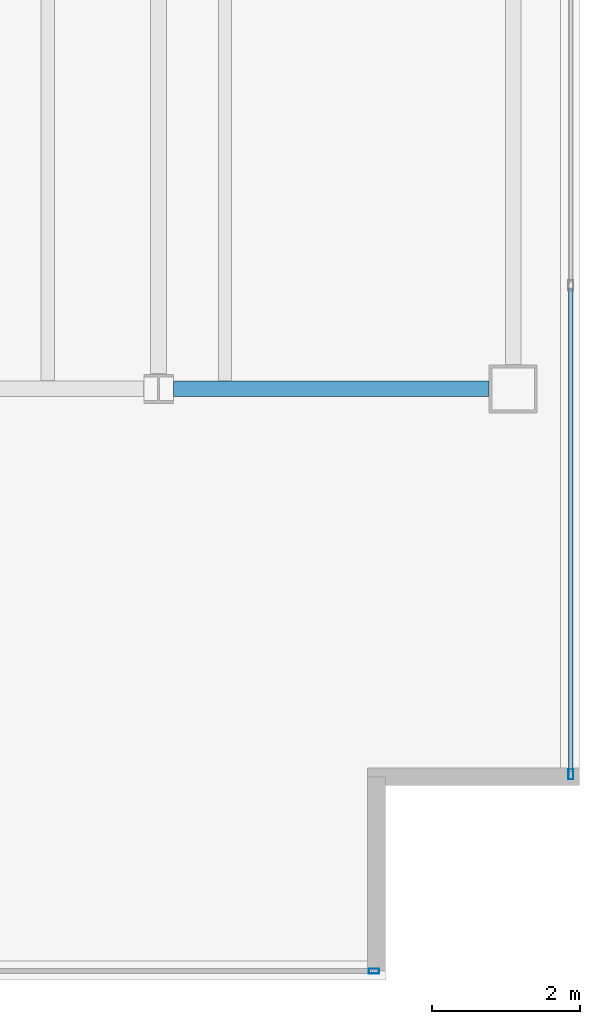
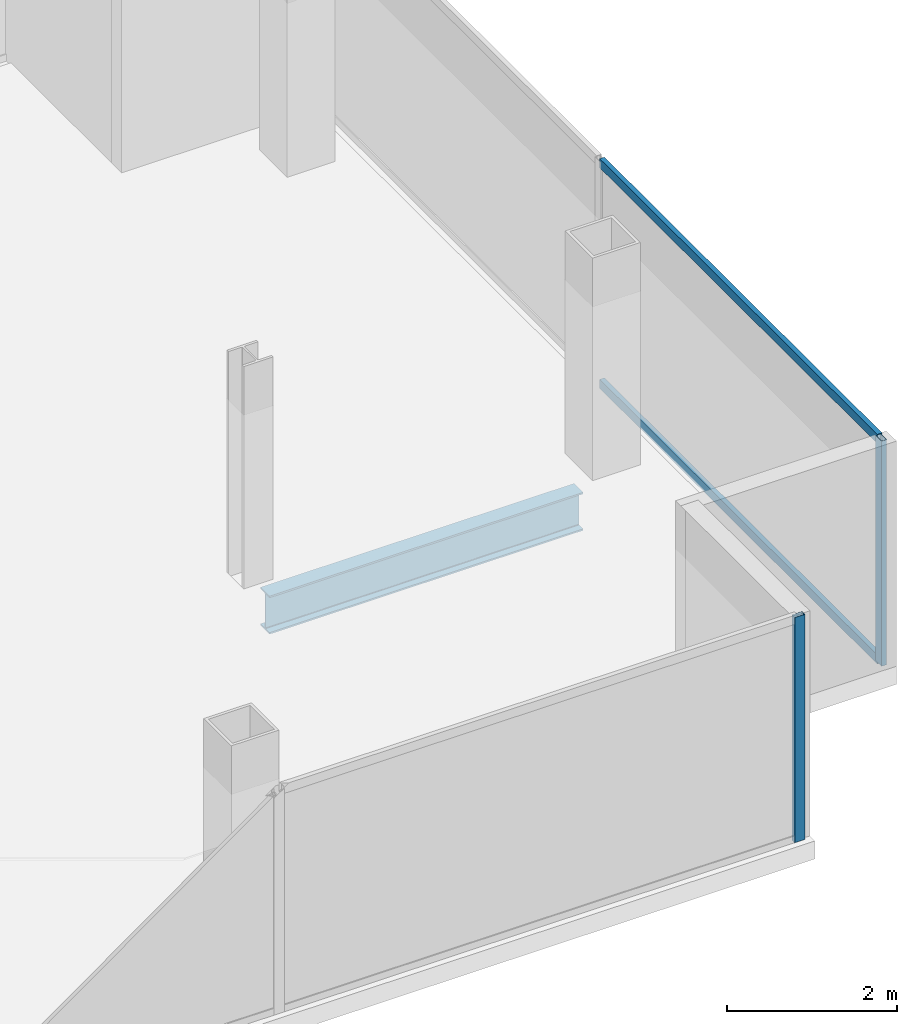
# One storey, part 14 of 23: 4 members, 1 beam, 2 elements without a shape of their own.
"""IFC4 building model written with IfcOpenShell, lengths in metres."""

from ifc_helpers import new_model, si_unit, direction, frame, origin, origin_2d, place, context, subcontext, project, spatial, hollow_rectangle, i_section, extrude, material, material_profile, profile_set, type_object, element, aggregate, save


model = new_model("IFC4")

# Units and contexts
model_context = context("Model", 3, precision=1e-05, world=origin(), true_north=direction((0.0, 1.0)))
body_context = subcontext(model_context, "Body", "Model", "MODEL_VIEW")
ifc_project = project(units=[si_unit("LENGTHUNIT", "METRE"), si_unit("AREAUNIT", "SQUARE_METRE"), si_unit("VOLUMEUNIT", "CUBIC_METRE"), si_unit("PLANEANGLEUNIT", "RADIAN"), si_unit("MASSUNIT", "GRAM", prefix="KILO")], contexts=[model_context])

# Site, building, storey
site_placement = place(None, origin())
site = spatial("IfcSite", under=ifc_project, at=site_placement, CompositionType="ELEMENT")
building_placement = place(site_placement, origin())
building = spatial("IfcBuilding", under=site, at=building_placement, Name="Cobrela Telecom Tower", CompositionType="ELEMENT")
storey_placement = place(building_placement, frame((0.0, 0.0, 272.64990234375)))
storey = spatial("IfcBuildingStorey", under=building, at=storey_placement, Name="L71", CompositionType="ELEMENT", Elevation=272.64990234375)

# Beam
ifc_material_1 = material(Name="Steel ASTM A992 Grade 50", Category="steel")
ifc_material_profile_1 = material_profile(ifc_material_1, i_section(OverallWidth=0.212890625, OverallDepth=0.549072265625, WebThickness=0.0146484375, FlangeThickness=0.023681640625, FilletRadius=0.013916015625, at=origin_2d()), Name="W21X93")
ifc_profile_set_1 = profile_set([ifc_material_profile_1], Name="Steel ASTM A992 Grade 50")
beam_type = type_object("IfcBeamType", Name="BM-GIRD-08", PredefinedType="USERDEFINED", material=ifc_profile_set_1)
beam_placement = place(storey_placement, frame((40.1044921875, 14.39990234375, -0.534423828125), z_axis=(1.0, 0.0, 0.0), x_axis=(0.0, 1.0, 0.0)))
element("IfcBeam", 1, at=beam_placement, inside=storey, type_object=beam_type, Name="L71 Primary Girder X09", ObjectType="GIRDER", PredefinedType="USERDEFINED", context=body_context, shape_type="SweptSolid", body=[
    extrude(i_section(OverallWidth=0.212890625, OverallDepth=0.549072265625, WebThickness=0.0146484375, FlangeThickness=0.023681640625, FilletRadius=0.013916015625, at=origin_2d()), origin(), (0.0, 0.0, 1.0), 4.265625),
])

# Curtain wall, member
ifc_material_2 = material(Name="Anodized Bronze Aluminium 6063-T6", Category="aluminium")
curtain_wall_type = type_object("IfcCurtainWallType", Name="CW-SYS-OFF-HI", PredefinedType="USERDEFINED", material=ifc_material_2)
curtain_wall_1_placement = place(storey_placement, origin())
curtain_wall_1 = element("IfcCurtainWall", 2, at=curtain_wall_1_placement, inside=storey, type_object=curtain_wall_type, Name="L71 Unitised Bronze Curtain Wall 12", ObjectType="UNITISED CURTAIN WALL", PredefinedType="USERDEFINED")
ifc_material_profile_2 = material_profile(ifc_material_2, hollow_rectangle(XDim=0.070068359375, YDim=0.139892578125, WallThickness=0.00390625, at=origin_2d()), Name="ALU 70x140x4")
ifc_profile_set_2 = profile_set([ifc_material_profile_2], Name="Anodized Bronze Aluminium 6063-T6")
member_type_1 = type_object("IfcMemberType", Name="CW-SYS-OFF-HI-MUL", PredefinedType="MULLION", material=ifc_profile_set_2)
member_1_placement = place(storey_placement, frame((45.47998046875, 9.18505859375, 0.0), z_axis=(0.0, 0.0, 1.0), x_axis=(1.0, 0.0, 0.0)))
member_1 = element("IfcMember", 3, at=member_1_placement, type_object=member_type_1, Name="CW-OFF-HI mullion 3", PredefinedType="MULLION", context=body_context, shape_type="SweptSolid", body=[
    extrude(hollow_rectangle(XDim=0.070068359375, YDim=0.139892578125, WallThickness=0.00390625, at=origin_2d()), origin(), (0.0, 0.0, 1.0), 3.239990234375),
])

curtain_wall_2_placement = place(storey_placement, origin())
curtain_wall_2 = element("IfcCurtainWall", 4, at=curtain_wall_2_placement, inside=storey, type_object=curtain_wall_type, Name="L71 Unitised Bronze Curtain Wall 15", ObjectType="UNITISED CURTAIN WALL", PredefinedType="USERDEFINED")
member_2_placement = place(storey_placement, frame((42.81494140625, 6.52001953125, 0.0), z_axis=(0.0, 0.0, 1.0), x_axis=(0.0, -1.0, 0.0)))
member_2 = element("IfcMember", 5, at=member_2_placement, type_object=member_type_1, Name="CW-OFF-HI mullion 1", PredefinedType="MULLION", context=body_context, shape_type="SweptSolid", body=[
    extrude(hollow_rectangle(XDim=0.070068359375, YDim=0.139892578125, WallThickness=0.00390625, at=origin_2d()), origin(), (0.0, 0.0, 1.0), 3.239990234375),
])
aggregate(curtain_wall_2, [member_2])

# Member
ifc_material_profile_3 = material_profile(ifc_material_2, hollow_rectangle(XDim=0.06494140625, YDim=0.1298828125, WallThickness=0.00390625, at=origin_2d()), Name="ALU 65x130x4")
ifc_profile_set_3 = profile_set([ifc_material_profile_3], Name="Anodized Bronze Aluminium 6063-T6")
member_type_2 = type_object("IfcMemberType", Name="CW-SYS-OFF-HI-TRN", PredefinedType="USERDEFINED", material=ifc_profile_set_3)
member_3_placement = place(storey_placement, frame((45.47998046875, 15.764892578125, 0.03271484375), z_axis=(0.0, -1.0, 0.0), x_axis=(1.0, 0.0, 0.0)))
member_3 = element("IfcMember", 6, at=member_3_placement, type_object=member_type_2, Name="CW-OFF-HI transom 2.1", ObjectType="TRANSOM", PredefinedType="USERDEFINED", context=body_context, shape_type="SweptSolid", body=[
    extrude(hollow_rectangle(XDim=0.06494140625, YDim=0.1298828125, WallThickness=0.00390625, at=origin_2d()), origin(), (0.0, 0.0, 1.0), 6.544921875),
])

member_4_placement = place(storey_placement, frame((45.47998046875, 15.764892578125, 3.20751953125), z_axis=(0.0, -1.0, 0.0), x_axis=(1.0, 0.0, 0.0)))
member_4 = element("IfcMember", 7, at=member_4_placement, type_object=member_type_2, Name="CW-OFF-HI transom 2.2", ObjectType="TRANSOM", PredefinedType="USERDEFINED", context=body_context, shape_type="SweptSolid", body=[
    extrude(hollow_rectangle(XDim=0.06494140625, YDim=0.1298828125, WallThickness=0.00390625, at=origin_2d()), origin(), (0.0, 0.0, 1.0), 6.544921875),
])

aggregate(curtain_wall_1, [member_1, member_3, member_4])

save(model, "model.ifc")
